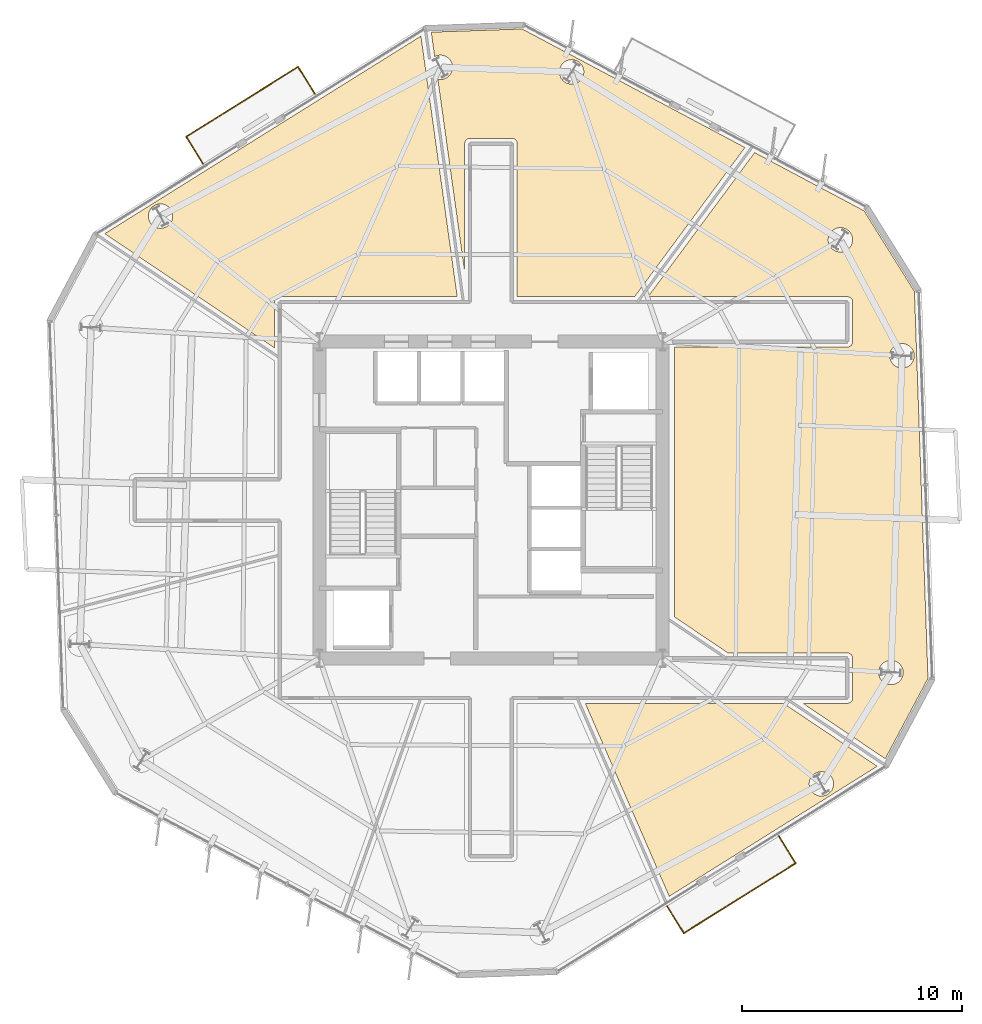
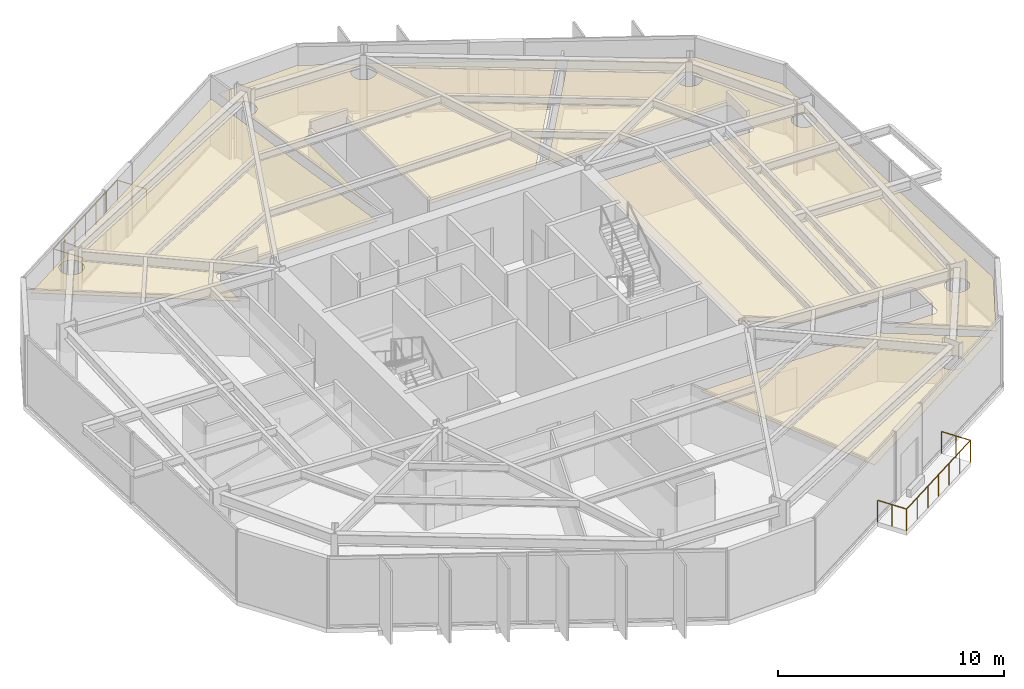
# One storey, part 11 of 12: 4 coverings, 2 railings.
"""IFC4 building model written with IfcOpenShell, lengths in metres."""

from ifc_helpers import new_model, si_unit, direction, frame, origin, origin_2d, place, context, subcontext, project, spatial, polyline, circle, outline, extrude, material, layer, layer_set, type_object, element, save


model = new_model("IFC4")

# Units and contexts
model_context = context("Model", 3, precision=1e-05, world=origin(), true_north=direction((0.0, 1.0)))
body_context = subcontext(model_context, "Body", "Model", "MODEL_VIEW")
ifc_project = project(units=[si_unit("LENGTHUNIT", "METRE"), si_unit("AREAUNIT", "SQUARE_METRE"), si_unit("VOLUMEUNIT", "CUBIC_METRE"), si_unit("PLANEANGLEUNIT", "RADIAN"), si_unit("MASSUNIT", "GRAM", prefix="KILO")], contexts=[model_context])

# Site, building, storey
site_placement = place(None, origin())
site = spatial("IfcSite", under=ifc_project, at=site_placement, CompositionType="ELEMENT")
building_placement = place(site_placement, origin())
building = spatial("IfcBuilding", under=site, at=building_placement, Name="Kranzbogen Civic Tower", CompositionType="ELEMENT")
storey_placement = place(building_placement, frame((0.0, 0.0, 150.39990234375)))
storey = spatial("IfcBuildingStorey", under=building, at=storey_placement, Name="L36", CompositionType="ELEMENT", Elevation=150.39990234375)

# Railings
ifc_material_1 = material(Name="Anodised Bronze Aluminium", Category="aluminium")
railing_type = type_object("IfcRailingType", Name="Cantilevered Balcony Glass and Bronze Balustrade 1200", PredefinedType="BALUSTRADE", material=ifc_material_1)
railing_1_placement = place(storey_placement, frame((16.9990234375, 43.466064453125, 0.0)))
element("IfcRailing", 1, at=railing_1_placement, inside=storey, type_object=railing_type, Name="L36 exterior terrace balustrade L36-TB1", PredefinedType="BALUSTRADE", context=body_context, shape_type="SweptSolid", body=[
    extrude(circle(Radius=0.02392578125, at=origin_2d()), frame((0.0, 0.0, 1.17578125), z_axis=(-0.529665959131, 0.84820632616, 0.0), x_axis=(-0.84820632616, -0.529665959131, 0.0)), (0.0, 0.0, 1.0), 1.4501953125),
    extrude(circle(Radius=0.02392578125, at=origin_2d()), frame((-0.76806640625, 1.22998046875, 1.17578125), z_axis=(-0.848044014651, -0.529925795952, 0.0), x_axis=(0.529925795952, -0.848044014651, 0.0)), (0.0, 0.0, 1.0), 6.000732421875),
    extrude(circle(Radius=0.02392578125, at=origin_2d()), frame((-5.85693359375, -1.949951171875, 1.17578125), z_axis=(0.529469187734, -0.848329169155, 0.0), x_axis=(0.848329169155, 0.529469187734, 0.0)), (0.0, 0.0, 1.0), 1.4501953125),
    extrude(circle(Radius=0.02099609375, at=origin_2d()), origin(), (0.0, 0.0, 1.0), 1.15185546875),
    extrude(circle(Radius=0.02099609375, at=origin_2d()), frame((-0.384033203125, 0.614990234375, 0.0)), (0.0, 0.0, 1.0), 1.15185546875),
    extrude(circle(Radius=0.02099609375, at=origin_2d()), frame((-0.76806640625, 1.22998046875, 0.0)), (0.0, 0.0, 1.0), 1.15185546875),
    extrude(circle(Radius=0.02099609375, at=origin_2d()), frame((-1.6162109375, 0.699951171875, 0.0)), (0.0, 0.0, 1.0), 1.15185546875),
    extrude(circle(Radius=0.02099609375, at=origin_2d()), frame((-2.46435546875, 0.169921875, 0.0)), (0.0, 0.0, 1.0), 1.15185546875),
    extrude(circle(Radius=0.02099609375, at=origin_2d()), frame((-3.3125, -0.35986328125, 0.0)), (0.0, 0.0, 1.0), 1.15185546875),
    extrude(circle(Radius=0.02099609375, at=origin_2d()), frame((-4.16064453125, -0.889892578125, 0.0)), (0.0, 0.0, 1.0), 1.15185546875),
    extrude(circle(Radius=0.02099609375, at=origin_2d()), frame((-5.0087890625, -1.419921875, 0.0)), (0.0, 0.0, 1.0), 1.15185546875),
    extrude(circle(Radius=0.02099609375, at=origin_2d()), frame((-5.85693359375, -1.949951171875, 0.0)), (0.0, 0.0, 1.0), 1.15185546875),
    extrude(circle(Radius=0.02099609375, at=origin_2d()), frame((-5.47314453125, -2.56494140625, 0.0)), (0.0, 0.0, 1.0), 1.15185546875),
    extrude(circle(Radius=0.02099609375, at=origin_2d()), frame((-5.089111328125, -3.18017578125, 0.0)), (0.0, 0.0, 1.0), 1.15185546875),
])
railing_2_placement = place(storey_placement, frame((33.0009765625, 6.533935546875, 0.0)))
element("IfcRailing", 2, at=railing_2_placement, inside=storey, type_object=railing_type, Name="L36 exterior terrace balustrade L36-TB2", PredefinedType="BALUSTRADE", context=body_context, shape_type="SweptSolid", body=[
    extrude(circle(Radius=0.02392578125, at=origin_2d()), frame((0.0, 0.0, 1.17578125), z_axis=(0.529665959131, -0.84820632616, 0.0), x_axis=(0.84820632616, 0.529665959131, 0.0)), (0.0, 0.0, 1.0), 1.4501953125),
    extrude(circle(Radius=0.02392578125, at=origin_2d()), frame((0.76806640625, -1.22998046875, 1.17578125), z_axis=(0.848044014651, 0.529925795952, 0.0), x_axis=(-0.529925795952, 0.848044014651, 0.0)), (0.0, 0.0, 1.0), 6.000732421875),
    extrude(circle(Radius=0.02392578125, at=origin_2d()), frame((5.85693359375, 1.949951171875, 1.17578125), z_axis=(-0.529469187734, 0.848329169155, 0.0), x_axis=(-0.848329169155, -0.529469187734, 0.0)), (0.0, 0.0, 1.0), 1.4501953125),
    extrude(circle(Radius=0.02099609375, at=origin_2d()), origin(), (0.0, 0.0, 1.0), 1.15185546875),
    extrude(circle(Radius=0.02099609375, at=origin_2d()), frame((0.384033203125, -0.614990234375, 0.0)), (0.0, 0.0, 1.0), 1.15185546875),
    extrude(circle(Radius=0.02099609375, at=origin_2d()), frame((0.76806640625, -1.22998046875, 0.0)), (0.0, 0.0, 1.0), 1.15185546875),
    extrude(circle(Radius=0.02099609375, at=origin_2d()), frame((1.6162109375, -0.699951171875, 0.0)), (0.0, 0.0, 1.0), 1.15185546875),
    extrude(circle(Radius=0.02099609375, at=origin_2d()), frame((2.46435546875, -0.169921875, 0.0)), (0.0, 0.0, 1.0), 1.15185546875),
    extrude(circle(Radius=0.02099609375, at=origin_2d()), frame((3.3125, 0.35986328125, 0.0)), (0.0, 0.0, 1.0), 1.15185546875),
    extrude(circle(Radius=0.02099609375, at=origin_2d()), frame((4.16064453125, 0.889892578125, 0.0)), (0.0, 0.0, 1.0), 1.15185546875),
    extrude(circle(Radius=0.02099609375, at=origin_2d()), frame((5.0087890625, 1.419921875, 0.0)), (0.0, 0.0, 1.0), 1.15185546875),
    extrude(circle(Radius=0.02099609375, at=origin_2d()), frame((5.85693359375, 1.949951171875, 0.0)), (0.0, 0.0, 1.0), 1.15185546875),
    extrude(circle(Radius=0.02099609375, at=origin_2d()), frame((5.47314453125, 2.56494140625, 0.0)), (0.0, 0.0, 1.0), 1.15185546875),
    extrude(circle(Radius=0.02099609375, at=origin_2d()), frame((5.089111328125, 3.18017578125, 0.0)), (0.0, 0.0, 1.0), 1.15185546875),
])

# Coverings
ifc_material_2 = material(Name="Perforated Acoustic Gypsum Ceiling")
ifc_layer = layer(ifc_material_2, 0.02490234375, Name="Perforated Acoustic Gypsum Ceiling")
ifc_layer_set = layer_set([ifc_layer], Name="Perforated Acoustic Gypsum Ceiling")
covering_type = type_object("IfcCoveringType", Name="Perforated Acoustic Mineral Ceiling Tile 25 mm", PredefinedType="CEILING", material=ifc_layer_set)
covering_1_placement = place(storey_placement, frame((0.0, 0.0, 2.75)))
element("IfcCovering", 3, at=covering_1_placement, inside=storey, type_object=covering_type, Name="L36 Policy Seminar Room acoustic ceiling", PredefinedType="CEILING", context=body_context, shape_type="SweptSolid", body=[
    extrude(outline(polyline([(29.2890625, 15.7548828125), (38.305908203125, 15.7548828125), (42.56298828125, 12.89111328125), (33.10595703125, 6.98193359375), (29.2890625, 15.7548828125)]), holes=[polyline([(40.534912109375, 11.8798828125), (40.511962890625, 11.8310546875), (40.48388671875, 11.783935546875), (40.451904296875, 11.739990234375), (40.4150390625, 11.699951171875), (40.375, 11.6630859375), (40.3310546875, 11.631103515625), (40.283935546875, 11.60302734375), (40.235107421875, 11.580078125), (40.18408203125, 11.56201171875), (40.131103515625, 11.548095703125), (40.076904296875, 11.5400390625), (40.02294921875, 11.5380859375), (39.968994140625, 11.5400390625), (39.9150390625, 11.548095703125), (39.862060546875, 11.56201171875), (39.81103515625, 11.580078125), (39.761962890625, 11.60302734375), (39.715087890625, 11.631103515625), (39.6708984375, 11.6630859375), (39.631103515625, 11.699951171875), (39.593994140625, 11.739990234375), (39.56201171875, 11.783935546875), (39.533935546875, 11.8310546875), (39.510986328125, 11.8798828125), (39.492919921875, 11.930908203125), (39.47900390625, 11.98388671875), (39.470947265625, 12.0380859375), (39.468994140625, 12.092041015625), (39.470947265625, 12.14599609375), (39.47900390625, 12.199951171875), (39.492919921875, 12.2529296875), (39.510986328125, 12.303955078125), (39.533935546875, 12.35302734375), (39.56201171875, 12.39990234375), (39.593994140625, 12.444091796875), (39.631103515625, 12.48388671875), (39.6708984375, 12.52099609375), (39.715087890625, 12.552978515625), (39.761962890625, 12.5810546875), (39.81103515625, 12.60400390625), (39.862060546875, 12.6220703125), (39.9150390625, 12.635986328125), (39.968994140625, 12.64404296875), (40.02294921875, 12.64599609375), (40.076904296875, 12.64404296875), (40.131103515625, 12.635986328125), (40.18408203125, 12.6220703125), (40.235107421875, 12.60400390625), (40.283935546875, 12.5810546875), (40.3310546875, 12.552978515625), (40.375, 12.52099609375), (40.4150390625, 12.48388671875), (40.451904296875, 12.444091796875), (40.48388671875, 12.39990234375), (40.511962890625, 12.35302734375), (40.534912109375, 12.303955078125), (40.552978515625, 12.2529296875), (40.56689453125, 12.199951171875), (40.574951171875, 12.14599609375), (40.576904296875, 12.092041015625), (40.574951171875, 12.0380859375), (40.56689453125, 11.98388671875), (40.552978515625, 11.930908203125), (40.534912109375, 11.8798828125)])]), origin(), (0.0, 0.0, 1.0), 0.025146484375),
])
covering_2_placement = place(storey_placement, frame((0.0, 0.0, 2.75)))
element("IfcCovering", 4, at=covering_2_placement, inside=storey, type_object=covering_type, Name="L36 Operations Security Control Room acoustic ceiling", PredefinedType="CEILING", context=body_context, shape_type="SweptSolid", body=[
    extrude(outline(polyline([(42.929931640625, 13.235107421875), (39.18408203125, 15.7548828125), (41.199951171875, 15.7548828125), (41.208984375, 15.7548828125), (41.215087890625, 15.756103515625), (41.23291015625, 15.757080078125), (41.239013671875, 15.758056640625), (41.256103515625, 15.761962890625), (41.262939453125, 15.762939453125), (41.280029296875, 15.76806640625), (41.285888671875, 15.77001953125), (41.302001953125, 15.777099609375), (41.30810546875, 15.780029296875), (41.322998046875, 15.7880859375), (41.3291015625, 15.7919921875), (41.343017578125, 15.801025390625), (41.347900390625, 15.804931640625), (41.362060546875, 15.81591796875), (41.366943359375, 15.821044921875), (41.37890625, 15.8330078125), (41.384033203125, 15.837890625), (41.39501953125, 15.85205078125), (41.39892578125, 15.85693359375), (41.407958984375, 15.87109375), (41.412109375, 15.876953125), (41.419921875, 15.89208984375), (41.423095703125, 15.89794921875), (41.429931640625, 15.9140625), (41.431884765625, 15.919921875), (41.43701171875, 15.93701171875), (41.43798828125, 15.944091796875), (41.44189453125, 15.9609375), (41.443115234375, 15.967041015625), (41.444091796875, 15.985107421875), (41.445068359375, 15.990966796875), (41.445068359375, 16.0), (41.445068359375, 17.800048828125), (41.445068359375, 17.80908203125), (41.444091796875, 17.81494140625), (41.443115234375, 17.8330078125), (41.44189453125, 17.839111328125), (41.43798828125, 17.85595703125), (41.43701171875, 17.863037109375), (41.431884765625, 17.8798828125), (41.429931640625, 17.885986328125), (41.423095703125, 17.902099609375), (41.419921875, 17.907958984375), (41.412109375, 17.923095703125), (41.407958984375, 17.928955078125), (41.39892578125, 17.943115234375), (41.39501953125, 17.947998046875), (41.384033203125, 17.9619140625), (41.37890625, 17.967041015625), (41.366943359375, 17.97900390625), (41.362060546875, 17.98388671875), (41.347900390625, 17.9951171875), (41.343017578125, 17.9990234375), (41.3291015625, 18.008056640625), (41.322998046875, 18.011962890625), (41.30810546875, 18.02001953125), (41.302001953125, 18.02294921875), (41.285888671875, 18.030029296875), (41.280029296875, 18.031982421875), (41.262939453125, 18.037109375), (41.256103515625, 18.0380859375), (41.239013671875, 18.0419921875), (41.23291015625, 18.04296875), (41.215087890625, 18.0439453125), (41.208984375, 18.044921875), (41.199951171875, 18.044921875), (35.779052734375, 18.044921875), (33.344970703125, 19.681884765625), (33.344970703125, 31.955078125), (41.199951171875, 31.955078125), (41.208984375, 31.955078125), (41.215087890625, 31.9560546875), (41.23291015625, 31.95703125), (41.239013671875, 31.9580078125), (41.256103515625, 31.9619140625), (41.262939453125, 31.962890625), (41.280029296875, 31.968017578125), (41.285888671875, 31.969970703125), (41.302001953125, 31.97705078125), (41.30810546875, 31.97998046875), (41.322998046875, 31.988037109375), (41.3291015625, 31.991943359375), (41.343017578125, 32.0009765625), (41.347900390625, 32.0048828125), (41.362060546875, 32.01611328125), (41.366943359375, 32.02099609375), (41.37890625, 32.032958984375), (41.384033203125, 32.0380859375), (41.39501953125, 32.052001953125), (41.39892578125, 32.056884765625), (41.407958984375, 32.071044921875), (41.412109375, 32.076904296875), (41.419921875, 32.092041015625), (41.423095703125, 32.097900390625), (41.429931640625, 32.114013671875), (41.431884765625, 32.1201171875), (41.43701171875, 32.136962890625), (41.43798828125, 32.14404296875), (41.44189453125, 32.160888671875), (41.443115234375, 32.1669921875), (41.444091796875, 32.18505859375), (41.445068359375, 32.19091796875), (41.445068359375, 32.199951171875), (41.445068359375, 34.0), (41.445068359375, 34.009033203125), (41.444091796875, 34.014892578125), (41.443115234375, 34.032958984375), (41.44189453125, 34.0390625), (41.43798828125, 34.055908203125), (41.43701171875, 34.06298828125), (41.431884765625, 34.080078125), (41.429931640625, 34.0859375), (41.423095703125, 34.10205078125), (41.419921875, 34.10791015625), (41.412109375, 34.123046875), (41.407958984375, 34.12890625), (41.39892578125, 34.14306640625), (41.39501953125, 34.14794921875), (41.384033203125, 34.162109375), (41.37890625, 34.1669921875), (41.366943359375, 34.178955078125), (41.362060546875, 34.18408203125), (41.347900390625, 34.195068359375), (41.343017578125, 34.198974609375), (41.3291015625, 34.2080078125), (41.322998046875, 34.2119140625), (41.30810546875, 34.219970703125), (41.302001953125, 34.222900390625), (41.285888671875, 34.22998046875), (41.280029296875, 34.23193359375), (41.262939453125, 34.237060546875), (41.256103515625, 34.238037109375), (41.239013671875, 34.241943359375), (41.23291015625, 34.242919921875), (41.215087890625, 34.243896484375), (41.208984375, 34.2451171875), (41.199951171875, 34.2451171875), (32.14306640625, 34.2451171875), (36.988037109375, 40.7958984375), (41.964111328125, 38.14990234375), (44.256103515625, 34.48193359375), (44.8701171875, 16.885009765625), (42.929931640625, 13.235107421875)]), holes=[polyline([(43.698974609375, 16.944091796875), (43.676025390625, 16.89501953125), (43.64794921875, 16.847900390625), (43.615966796875, 16.803955078125), (43.5791015625, 16.763916015625), (43.5390625, 16.72705078125), (43.4951171875, 16.695068359375), (43.447998046875, 16.6669921875), (43.39892578125, 16.64404296875), (43.347900390625, 16.6259765625), (43.294921875, 16.612060546875), (43.240966796875, 16.60400390625), (43.18701171875, 16.60205078125), (43.133056640625, 16.60400390625), (43.0791015625, 16.612060546875), (43.02587890625, 16.6259765625), (42.97509765625, 16.64404296875), (42.926025390625, 16.6669921875), (42.87890625, 16.695068359375), (42.8349609375, 16.72705078125), (42.794921875, 16.763916015625), (42.758056640625, 16.803955078125), (42.72607421875, 16.847900390625), (42.697998046875, 16.89501953125), (42.675048828125, 16.944091796875), (42.656982421875, 16.9951171875), (42.64306640625, 17.048095703125), (42.635009765625, 17.10205078125), (42.633056640625, 17.156005859375), (42.635009765625, 17.2099609375), (42.64306640625, 17.263916015625), (42.656982421875, 17.31689453125), (42.675048828125, 17.367919921875), (42.697998046875, 17.4169921875), (42.72607421875, 17.464111328125), (42.758056640625, 17.508056640625), (42.794921875, 17.548095703125), (42.8349609375, 17.5849609375), (42.87890625, 17.616943359375), (42.926025390625, 17.64501953125), (42.97509765625, 17.66796875), (43.02587890625, 17.68603515625), (43.0791015625, 17.699951171875), (43.133056640625, 17.7080078125), (43.18701171875, 17.7099609375), (43.240966796875, 17.7080078125), (43.294921875, 17.699951171875), (43.347900390625, 17.68603515625), (43.39892578125, 17.66796875), (43.447998046875, 17.64501953125), (43.4951171875, 17.616943359375), (43.5390625, 17.5849609375), (43.5791015625, 17.548095703125), (43.615966796875, 17.508056640625), (43.64794921875, 17.464111328125), (43.676025390625, 17.4169921875), (43.698974609375, 17.367919921875), (43.717041015625, 17.31689453125), (43.73095703125, 17.263916015625), (43.739013671875, 17.2099609375), (43.740966796875, 17.156005859375), (43.739013671875, 17.10205078125), (43.73095703125, 17.048095703125), (43.717041015625, 16.9951171875), (43.698974609375, 16.944091796875)]), polyline([(44.201904296875, 31.343994140625), (44.178955078125, 31.294921875), (44.15087890625, 31.248046875), (44.118896484375, 31.2041015625), (44.08203125, 31.1640625), (44.0419921875, 31.126953125), (43.998046875, 31.094970703125), (43.950927734375, 31.06689453125), (43.902099609375, 31.0439453125), (43.85107421875, 31.02587890625), (43.798095703125, 31.011962890625), (43.743896484375, 31.00390625), (43.68994140625, 31.001953125), (43.635986328125, 31.00390625), (43.58203125, 31.011962890625), (43.529052734375, 31.02587890625), (43.47802734375, 31.0439453125), (43.428955078125, 31.06689453125), (43.382080078125, 31.094970703125), (43.337890625, 31.126953125), (43.298095703125, 31.1640625), (43.260986328125, 31.2041015625), (43.22900390625, 31.248046875), (43.200927734375, 31.294921875), (43.177978515625, 31.343994140625), (43.159912109375, 31.39501953125), (43.14599609375, 31.447998046875), (43.137939453125, 31.501953125), (43.135986328125, 31.555908203125), (43.137939453125, 31.610107421875), (43.14599609375, 31.6640625), (43.159912109375, 31.717041015625), (43.177978515625, 31.76806640625), (43.200927734375, 31.81689453125), (43.22900390625, 31.864013671875), (43.260986328125, 31.907958984375), (43.298095703125, 31.947998046875), (43.337890625, 31.985107421875), (43.382080078125, 32.01708984375), (43.428955078125, 32.044921875), (43.47802734375, 32.068115234375), (43.529052734375, 32.0859375), (43.58203125, 32.10009765625), (43.635986328125, 32.10791015625), (43.68994140625, 32.110107421875), (43.743896484375, 32.10791015625), (43.798095703125, 32.10009765625), (43.85107421875, 32.0859375), (43.902099609375, 32.068115234375), (43.950927734375, 32.044921875), (43.998046875, 32.01708984375), (44.0419921875, 31.985107421875), (44.08203125, 31.947998046875), (44.118896484375, 31.907958984375), (44.15087890625, 31.864013671875), (44.178955078125, 31.81689453125), (44.201904296875, 31.76806640625), (44.219970703125, 31.717041015625), (44.23388671875, 31.6640625), (44.241943359375, 31.610107421875), (44.243896484375, 31.555908203125), (44.241943359375, 31.501953125), (44.23388671875, 31.447998046875), (44.219970703125, 31.39501953125), (44.201904296875, 31.343994140625)]), polyline([(41.39794921875, 36.616943359375), (41.375, 36.568115234375), (41.346923828125, 36.52099609375), (41.31494140625, 36.47705078125), (41.278076171875, 36.43701171875), (41.238037109375, 36.39990234375), (41.194091796875, 36.367919921875), (41.14697265625, 36.340087890625), (41.097900390625, 36.31689453125), (41.047119140625, 36.299072265625), (40.993896484375, 36.284912109375), (40.93994140625, 36.277099609375), (40.885986328125, 36.27490234375), (40.83203125, 36.277099609375), (40.778076171875, 36.284912109375), (40.72509765625, 36.299072265625), (40.674072265625, 36.31689453125), (40.625, 36.340087890625), (40.577880859375, 36.367919921875), (40.533935546875, 36.39990234375), (40.493896484375, 36.43701171875), (40.45703125, 36.47705078125), (40.425048828125, 36.52099609375), (40.39697265625, 36.568115234375), (40.3740234375, 36.616943359375), (40.35595703125, 36.66796875), (40.342041015625, 36.720947265625), (40.333984375, 36.77490234375), (40.33203125, 36.8291015625), (40.333984375, 36.883056640625), (40.342041015625, 36.93701171875), (40.35595703125, 36.989990234375), (40.3740234375, 37.041015625), (40.39697265625, 37.090087890625), (40.425048828125, 37.136962890625), (40.45703125, 37.180908203125), (40.493896484375, 37.220947265625), (40.533935546875, 37.258056640625), (40.577880859375, 37.2900390625), (40.625, 37.318115234375), (40.674072265625, 37.341064453125), (40.72509765625, 37.35888671875), (40.778076171875, 37.373046875), (40.83203125, 37.381103515625), (40.885986328125, 37.383056640625), (40.93994140625, 37.381103515625), (40.993896484375, 37.373046875), (41.047119140625, 37.35888671875), (41.097900390625, 37.341064453125), (41.14697265625, 37.318115234375), (41.194091796875, 37.2900390625), (41.238037109375, 37.258056640625), (41.278076171875, 37.220947265625), (41.31494140625, 37.180908203125), (41.346923828125, 37.136962890625), (41.375, 37.090087890625), (41.39794921875, 37.041015625), (41.416015625, 36.989990234375), (41.429931640625, 36.93701171875), (41.43798828125, 36.883056640625), (41.43994140625, 36.8291015625), (41.43798828125, 36.77490234375), (41.429931640625, 36.720947265625), (41.416015625, 36.66796875), (41.39794921875, 36.616943359375)])]), origin(), (0.0, 0.0, 1.0), 0.025146484375),
])
covering_3_placement = place(storey_placement, frame((0.0, 0.0, 2.75)))
element("IfcCovering", 5, at=covering_3_placement, inside=storey, type_object=covering_type, Name="L36 Central Mail Post Room acoustic ceiling", PredefinedType="CEILING", context=body_context, shape_type="SweptSolid", body=[
    extrude(outline(polyline([(22.5849609375, 44.1298828125), (22.591064453125, 44.1279296875), (22.64501953125, 44.1201171875), (22.698974609375, 44.117919921875), (22.7529296875, 44.1201171875), (22.806884765625, 44.1279296875), (22.860107421875, 44.14208984375), (22.910888671875, 44.159912109375), (22.9599609375, 44.18310546875), (23.007080078125, 44.2109375), (23.051025390625, 44.242919921875), (23.091064453125, 44.280029296875), (23.1279296875, 44.320068359375), (23.159912109375, 44.364013671875), (23.18798828125, 44.410888671875), (23.2109375, 44.4599609375), (23.22900390625, 44.510986328125), (23.242919921875, 44.56396484375), (23.2509765625, 44.617919921875), (23.2529296875, 44.672119140625), (23.2509765625, 44.72607421875), (23.242919921875, 44.780029296875), (23.22900390625, 44.8330078125), (23.2109375, 44.884033203125), (23.18798828125, 44.93310546875), (23.159912109375, 44.97998046875), (23.1279296875, 45.02392578125), (23.091064453125, 45.06396484375), (23.051025390625, 45.10107421875), (23.007080078125, 45.133056640625), (22.9599609375, 45.160888671875), (22.910888671875, 45.18408203125), (22.860107421875, 45.201904296875), (22.806884765625, 45.216064453125), (22.7529296875, 45.22412109375), (22.698974609375, 45.22607421875), (22.64501953125, 45.22412109375), (22.591064453125, 45.216064453125), (22.5380859375, 45.201904296875), (22.487060546875, 45.18408203125), (22.44091796875, 45.162109375), (22.285888671875, 46.27294921875), (26.416015625, 46.4169921875), (36.550048828125, 41.028076171875), (31.532958984375, 34.2451171875), (26.195068359375, 34.2451171875), (26.195068359375, 41.199951171875), (26.195068359375, 41.208984375), (26.194091796875, 41.215087890625), (26.193115234375, 41.23291015625), (26.19189453125, 41.239013671875), (26.18798828125, 41.256103515625), (26.18701171875, 41.262939453125), (26.181884765625, 41.280029296875), (26.179931640625, 41.285888671875), (26.173095703125, 41.302001953125), (26.169921875, 41.30810546875), (26.162109375, 41.322998046875), (26.157958984375, 41.3291015625), (26.14892578125, 41.343017578125), (26.14501953125, 41.347900390625), (26.134033203125, 41.362060546875), (26.12890625, 41.366943359375), (26.116943359375, 41.37890625), (26.112060546875, 41.384033203125), (26.097900390625, 41.39501953125), (26.093017578125, 41.39892578125), (26.0791015625, 41.407958984375), (26.072998046875, 41.412109375), (26.05810546875, 41.419921875), (26.052001953125, 41.423095703125), (26.035888671875, 41.429931640625), (26.030029296875, 41.431884765625), (26.012939453125, 41.43701171875), (26.006103515625, 41.43798828125), (25.989013671875, 41.44189453125), (25.98291015625, 41.443115234375), (25.965087890625, 41.444091796875), (25.958984375, 41.445068359375), (25.949951171875, 41.445068359375), (24.050048828125, 41.445068359375), (24.041015625, 41.445068359375), (24.034912109375, 41.444091796875), (24.01708984375, 41.443115234375), (24.010986328125, 41.44189453125), (23.993896484375, 41.43798828125), (23.987060546875, 41.43701171875), (23.969970703125, 41.431884765625), (23.964111328125, 41.429931640625), (23.947998046875, 41.423095703125), (23.94189453125, 41.419921875), (23.927001953125, 41.412109375), (23.9208984375, 41.407958984375), (23.906982421875, 41.39892578125), (23.902099609375, 41.39501953125), (23.887939453125, 41.384033203125), (23.883056640625, 41.37890625), (23.87109375, 41.366943359375), (23.865966796875, 41.362060546875), (23.85498046875, 41.347900390625), (23.85107421875, 41.343017578125), (23.842041015625, 41.3291015625), (23.837890625, 41.322998046875), (23.830078125, 41.30810546875), (23.826904296875, 41.302001953125), (23.820068359375, 41.285888671875), (23.818115234375, 41.280029296875), (23.81298828125, 41.262939453125), (23.81201171875, 41.256103515625), (23.80810546875, 41.239013671875), (23.806884765625, 41.23291015625), (23.805908203125, 41.215087890625), (23.804931640625, 41.208984375), (23.804931640625, 41.199951171875), (23.804931640625, 35.362060546875), (22.5849609375, 44.1298828125)]), holes=[polyline([(29.179931640625, 44.251953125), (29.156982421875, 44.202880859375), (29.12890625, 44.156005859375), (29.096923828125, 44.112060546875), (29.06005859375, 44.072021484375), (29.02001953125, 44.034912109375), (28.97607421875, 44.0029296875), (28.928955078125, 43.97509765625), (28.8798828125, 43.951904296875), (28.8291015625, 43.93408203125), (28.77587890625, 43.919921875), (28.721923828125, 43.912109375), (28.66796875, 43.909912109375), (28.614013671875, 43.912109375), (28.56005859375, 43.919921875), (28.507080078125, 43.93408203125), (28.4560546875, 43.951904296875), (28.406982421875, 43.97509765625), (28.360107421875, 44.0029296875), (28.31591796875, 44.034912109375), (28.27587890625, 44.072021484375), (28.239013671875, 44.112060546875), (28.20703125, 44.156005859375), (28.178955078125, 44.202880859375), (28.156005859375, 44.251953125), (28.137939453125, 44.302978515625), (28.1240234375, 44.35595703125), (28.115966796875, 44.409912109375), (28.114013671875, 44.464111328125), (28.115966796875, 44.51806640625), (28.1240234375, 44.572021484375), (28.137939453125, 44.625), (28.156005859375, 44.676025390625), (28.178955078125, 44.72509765625), (28.20703125, 44.77197265625), (28.239013671875, 44.81591796875), (28.27587890625, 44.85595703125), (28.31591796875, 44.89306640625), (28.360107421875, 44.925048828125), (28.406982421875, 44.952880859375), (28.4560546875, 44.97607421875), (28.507080078125, 44.993896484375), (28.56005859375, 45.008056640625), (28.614013671875, 45.01611328125), (28.66796875, 45.01806640625), (28.721923828125, 45.01611328125), (28.77587890625, 45.008056640625), (28.8291015625, 44.993896484375), (28.8798828125, 44.97607421875), (28.928955078125, 44.952880859375), (28.97607421875, 44.925048828125), (29.02001953125, 44.89306640625), (29.06005859375, 44.85595703125), (29.096923828125, 44.81591796875), (29.12890625, 44.77197265625), (29.156982421875, 44.72509765625), (29.179931640625, 44.676025390625), (29.197998046875, 44.625), (29.2119140625, 44.572021484375), (29.219970703125, 44.51806640625), (29.221923828125, 44.464111328125), (29.219970703125, 44.409912109375), (29.2119140625, 44.35595703125), (29.197998046875, 44.302978515625), (29.179931640625, 44.251953125)])]), origin(), (0.0, 0.0, 1.0), 0.025146484375),
])
covering_4_placement = place(storey_placement, frame((0.0, 0.0, 2.75)))
element("IfcCovering", 6, at=covering_4_placement, inside=storey, type_object=covering_type, Name="L36 Duty Crew Control Room acoustic ceiling", PredefinedType="CEILING", context=body_context, shape_type="SweptSolid", body=[
    extrude(outline(polyline([(23.466064453125, 34.2451171875), (15.39990234375, 34.2451171875), (15.39111328125, 34.2451171875), (15.385009765625, 34.243896484375), (15.366943359375, 34.242919921875), (15.361083984375, 34.241943359375), (15.343994140625, 34.238037109375), (15.3369140625, 34.237060546875), (15.320068359375, 34.23193359375), (15.31396484375, 34.22998046875), (15.298095703125, 34.222900390625), (15.2919921875, 34.219970703125), (15.277099609375, 34.2119140625), (15.27099609375, 34.2080078125), (15.257080078125, 34.198974609375), (15.251953125, 34.195068359375), (15.238037109375, 34.18408203125), (15.23291015625, 34.178955078125), (15.220947265625, 34.1669921875), (15.216064453125, 34.162109375), (15.205078125, 34.14794921875), (15.200927734375, 34.14306640625), (15.19189453125, 34.12890625), (15.18798828125, 34.123046875), (15.179931640625, 34.10791015625), (15.177001953125, 34.10205078125), (15.169921875, 34.0859375), (15.16796875, 34.080078125), (15.1630859375, 34.06298828125), (15.162109375, 34.055908203125), (15.157958984375, 34.0390625), (15.156982421875, 34.032958984375), (15.156005859375, 34.014892578125), (15.155029296875, 34.009033203125), (15.155029296875, 34.0), (15.155029296875, 31.9169921875), (7.43701171875, 37.10888671875), (21.81689453125, 46.093017578125), (23.466064453125, 34.2451171875)]), holes=[polyline([(10.489013671875, 37.696044921875), (10.466064453125, 37.64697265625), (10.43798828125, 37.60009765625), (10.406005859375, 37.555908203125), (10.368896484375, 37.51611328125), (10.3291015625, 37.47900390625), (10.284912109375, 37.447021484375), (10.238037109375, 37.4189453125), (10.18896484375, 37.39599609375), (10.137939453125, 37.3779296875), (10.0849609375, 37.364013671875), (10.031005859375, 37.35595703125), (9.97705078125, 37.35400390625), (9.923095703125, 37.35595703125), (9.868896484375, 37.364013671875), (9.81591796875, 37.3779296875), (9.764892578125, 37.39599609375), (9.716064453125, 37.4189453125), (9.6689453125, 37.447021484375), (9.625, 37.47900390625), (9.5849609375, 37.51611328125), (9.548095703125, 37.555908203125), (9.51611328125, 37.60009765625), (9.488037109375, 37.64697265625), (9.465087890625, 37.696044921875), (9.447021484375, 37.7470703125), (9.43310546875, 37.800048828125), (9.425048828125, 37.85400390625), (9.423095703125, 37.907958984375), (9.425048828125, 37.9619140625), (9.43310546875, 38.01611328125), (9.447021484375, 38.069091796875), (9.465087890625, 38.1201171875), (9.488037109375, 38.1689453125), (9.51611328125, 38.216064453125), (9.548095703125, 38.260009765625), (9.5849609375, 38.300048828125), (9.625, 38.3369140625), (9.6689453125, 38.368896484375), (9.716064453125, 38.39697265625), (9.764892578125, 38.419921875), (9.81591796875, 38.43798828125), (9.868896484375, 38.451904296875), (9.923095703125, 38.4599609375), (9.97705078125, 38.4619140625), (10.031005859375, 38.4599609375), (10.0849609375, 38.451904296875), (10.137939453125, 38.43798828125), (10.18896484375, 38.419921875), (10.238037109375, 38.39697265625), (10.284912109375, 38.368896484375), (10.3291015625, 38.3369140625), (10.368896484375, 38.300048828125), (10.406005859375, 38.260009765625), (10.43798828125, 38.216064453125), (10.466064453125, 38.1689453125), (10.489013671875, 38.1201171875), (10.507080078125, 38.069091796875), (10.52099609375, 38.01611328125), (10.529052734375, 37.9619140625), (10.531005859375, 37.907958984375), (10.529052734375, 37.85400390625), (10.52099609375, 37.800048828125), (10.507080078125, 37.7470703125), (10.489013671875, 37.696044921875)])]), origin(), (0.0, 0.0, 1.0), 0.025146484375),
])

save(model, "model.ifc")
